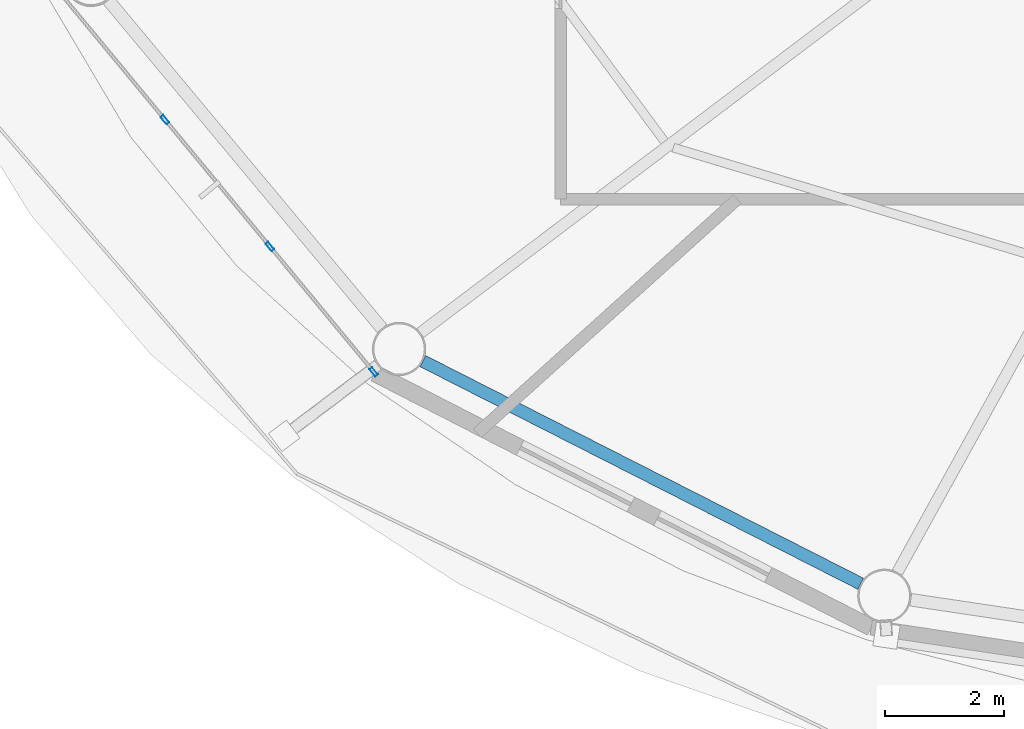
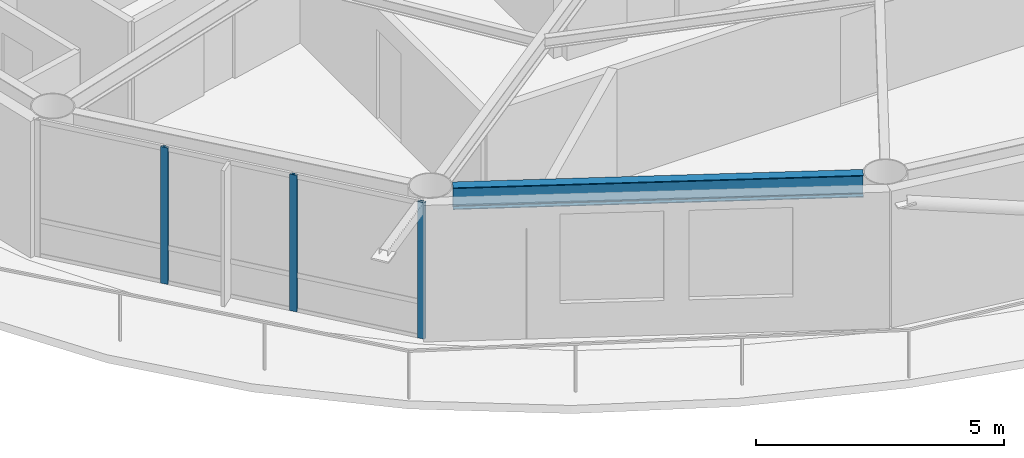
# One storey, part 2 of 22: 3 members, 1 beam, 1 element without a shape of its own.
"""IFC4 building model written with IfcOpenShell, lengths in metres."""

import ifcopenshell
import ifcopenshell.guid

model = None  # the IFC model being written
_history = None  # IfcOwnerHistory: only IFC2X3 demands one
_inside = {}  # id of a spatial element -> (the spatial element, [elements in it])
_under = {}  # id of a project, library or spatial element -> (it, [spatial elements below it])
_declared = {}  # id of a project -> (the project, [libraries it declares])
_typed = {}  # id of a type object -> (the type object, [elements of that type])
_made_of = {}  # id of a material, layer set ... -> (it, [elements and type objects made of it])


def new_model(schema):
    """Start an empty IFC model of exactly this schema.

    Asked for "IFC4X3", IfcOpenShell would pick the latest addendum, in which some entities
    have other attributes; the version numbers below select the first issue.
    IFC2X3 requires an IfcOwnerHistory on every rooted entity: one is made here for all.
    """
    global model, _history
    if schema == "IFC4X3":
        model = ifcopenshell.file(schema_version=(4, 3, 0, 0))
    else:
        model = ifcopenshell.file(schema=schema)
    _inside.clear()
    _under.clear()
    _declared.clear()
    _typed.clear()
    _made_of.clear()
    _history = None
    if model.schema == "IFC2X3":
        org = make("IfcOrganization", Name="unknown")
        user = make(
            "IfcPersonAndOrganization",
            ThePerson=make("IfcPerson", FamilyName="unknown"),
            TheOrganization=org,
        )
        app = make(
            "IfcApplication",
            ApplicationDeveloper=org,
            Version="unknown",
            ApplicationFullName="unknown",
            ApplicationIdentifier="unknown",
        )
        _history = make(
            "IfcOwnerHistory",
            OwningUser=user,
            OwningApplication=app,
            ChangeAction="ADDED",
            CreationDate=0,
        )
    return model


def make(cls, **values):
    """One entity of the class cls with the attributes given. An attribute that is None is left unset."""
    return model.create_entity(
        cls, **{name: value for name, value in values.items() if value is not None}
    )


def rooted(cls, **values):
    """An entity with a GlobalId (a new one), such as an element, a storey or a relation."""
    return make(cls, GlobalId=ifcopenshell.guid.new(), OwnerHistory=_history, **values)


def si_unit(unit_type, name, prefix=None):
    """IfcSIUnit, for example si_unit("LENGTHUNIT", "METRE", prefix="MILLI")."""
    return make("IfcSIUnit", UnitType=unit_type, Prefix=prefix, Name=name)


def assignment(units):
    """IfcUnitAssignment: the units of a project."""
    return None if units is None else make("IfcUnitAssignment", Units=units)


def point(xyz):
    """IfcCartesianPoint."""
    return None if xyz is None else make("IfcCartesianPoint", Coordinates=xyz)


def direction(xyz):
    """IfcDirection."""
    return None if xyz is None else make("IfcDirection", DirectionRatios=xyz)


def frame(location, z_axis=None, x_axis=None):
    """IfcAxis2Placement3D, a coordinate frame: its origin and axes. An axis left out is left unset."""
    return make(
        "IfcAxis2Placement3D",
        Location=point(location),
        Axis=direction(z_axis),
        RefDirection=direction(x_axis),
    )


def frame_2d(location, x_axis=None):
    """IfcAxis2Placement2D, a coordinate frame in the plane: its origin and x axis."""
    return make(
        "IfcAxis2Placement2D", Location=point(location), RefDirection=direction(x_axis)
    )


def origin():
    """The frame at (0, 0, 0) with its axes left unset."""
    return frame((0.0, 0.0, 0.0))


def origin_2d():
    """The frame at (0, 0) in the plane with its x axis left unset."""
    return frame_2d((0.0, 0.0))


def place(relative_to, where):
    """IfcLocalPlacement: puts the frame where relative to a parent placement (None: the world)."""
    return make(
        "IfcLocalPlacement", PlacementRelTo=relative_to, RelativePlacement=where
    )


def context(
    kind, dimensions, precision=None, world=None, true_north=None, identifier=None
):
    """IfcGeometricRepresentationContext, for example the 3D "Model" context."""
    return make(
        "IfcGeometricRepresentationContext",
        ContextIdentifier=identifier,
        ContextType=kind,
        CoordinateSpaceDimension=dimensions,
        Precision=precision,
        WorldCoordinateSystem=world,
        TrueNorth=true_north,
    )


def subcontext(parent, identifier, kind, view, scale=None):
    """IfcGeometricRepresentationSubContext, for example "Body" below "Model"."""
    return make(
        "IfcGeometricRepresentationSubContext",
        ContextIdentifier=identifier,
        ContextType=kind,
        ParentContext=parent,
        TargetScale=scale,
        TargetView=view,
    )


def project(units=None, contexts=None):
    """IfcProject with its units and contexts."""
    return rooted(
        "IfcProject",
        Name="project",
        RepresentationContexts=contexts,
        UnitsInContext=assignment(units),
    )


def spatial(cls, under=None, at=None, **own):
    """A site, building, storey or space (cls), placed at a placement, below another one or the project."""
    s = rooted(cls, ObjectPlacement=at, **own)
    if under is not None:
        _under.setdefault(under.id(), (under, []))[1].append(s)
    return s


def profile(cls, at=None, kind="AREA", **sizes):
    """A parametric profile (cls). Its sizes go by their IFC names, for example OverallWidth=200.0."""
    return make(cls, ProfileType=kind, Position=at, **sizes)


def hollow_rectangle(**sizes):
    """IfcRectangleHollowProfileDef."""
    return profile("IfcRectangleHollowProfileDef", **sizes)


def i_section(**sizes):
    """IfcIShapeProfileDef."""
    return profile("IfcIShapeProfileDef", **sizes)


def extrude(swept, where, along, depth):
    """IfcExtrudedAreaSolid: the profile swept, set in the frame where, extruded along a direction by depth."""
    return make(
        "IfcExtrudedAreaSolid",
        SweptArea=swept,
        Position=where,
        ExtrudedDirection=direction(along),
        Depth=depth,
    )


def shape(context_of_items, identifier, shape_type, items):
    """IfcShapeRepresentation: the items that make up one representation, for example the "Body"."""
    return make(
        "IfcShapeRepresentation",
        ContextOfItems=context_of_items,
        RepresentationIdentifier=identifier,
        RepresentationType=shape_type,
        Items=items,
    )


def material(Name=None, Category=None):
    """IfcMaterial."""
    return make("IfcMaterial", Name=Name, Category=Category)


def layer(
    of_material, thickness, ventilated=None, Name=None, Category=None, Priority=None
):
    """IfcMaterialLayer: one layer of a wall or slab, of a material (None: an air gap)."""
    return make(
        "IfcMaterialLayer",
        Material=of_material,
        LayerThickness=thickness,
        IsVentilated=ventilated,
        Name=Name,
        Category=Category,
        Priority=Priority,
    )


def layer_set(layers, Name=None):
    """IfcMaterialLayerSet."""
    return make("IfcMaterialLayerSet", MaterialLayers=layers, LayerSetName=Name)


def material_profile(
    of_material, cross_section, Name=None, Category=None, Priority=None
):
    """IfcMaterialProfile: a cross section and its material."""
    return make(
        "IfcMaterialProfile",
        Name=Name,
        Material=of_material,
        Profile=cross_section,
        Priority=Priority,
        Category=Category,
    )


def profile_set(profiles, Name=None, composite=None):
    """IfcMaterialProfileSet."""
    return make(
        "IfcMaterialProfileSet",
        Name=Name,
        MaterialProfiles=profiles,
        CompositeProfile=composite,
    )


def made_of(thing, what):
    """Note that an element or type object is made of a material, layer set ...; save() writes the relation."""
    if what is not None:
        _made_of.setdefault(what.id(), (what, []))[1].append(thing)
    return thing


def type_object(cls, material=None, **own):
    """A type object (cls), such as IfcWallType, which elements share."""
    return made_of(rooted(cls, **own), material)


def element(
    cls,
    number,
    at=None,
    inside=None,
    cuts=None,
    type_object=None,
    material=None,
    context=None,
    identifier="Body",
    shape_type=None,
    held_by="IfcProductDefinitionShape",
    body=None,
    shapes=None,
    **own,
):
    """One element of the class cls, such as IfcWall. Its Tag is "e" and its number.

    at: its placement. inside: the storey or other place that contains it. cuts: it is an
    opening in that element (IfcRelVoidsElement). A single representation is given by context,
    identifier, shape_type and body (its items); several are given by shapes. held_by: the class
    of the entity that holds the representations. save() writes the other relations.
    """
    e = rooted(cls, Tag="e%d" % number, ObjectPlacement=at, **own)
    if body is not None:
        shapes = [shape(context, identifier, shape_type, body)]
    if shapes is not None:
        e.Representation = make(held_by, Representations=shapes)
    if inside is not None:
        _inside.setdefault(inside.id(), (inside, []))[1].append(e)
    if cuts is not None:
        rooted(
            "IfcRelVoidsElement", RelatingBuildingElement=cuts, RelatedOpeningElement=e
        )
    if type_object is not None:
        _typed.setdefault(type_object.id(), (type_object, []))[1].append(e)
    return made_of(e, material)


def aggregate(whole, parts):
    """IfcRelAggregates: a whole, such as a stair, and the parts it consists of."""
    return rooted("IfcRelAggregates", RelatingObject=whole, RelatedObjects=parts)


def save(model, path):
    """Write the relations noted so far, then the file.

    IfcRelAggregates (storeys below a building ...), IfcRelContainedInSpatialStructure (elements
    in a storey), IfcRelDefinesByType, IfcRelAssociatesMaterial and IfcRelDeclares: one each for
    every whole, place, type object, material and project.
    """
    for whole, parts in _under.values():
        aggregate(whole, parts)
    for where, things in _inside.values():
        rooted(
            "IfcRelContainedInSpatialStructure",
            RelatedElements=things,
            RelatingStructure=where,
        )
    for kind, things in _typed.values():
        rooted("IfcRelDefinesByType", RelatedObjects=things, RelatingType=kind)
    for what, things in _made_of.values():
        rooted("IfcRelAssociatesMaterial", RelatedObjects=things, RelatingMaterial=what)
    for by, libraries in _declared.values():
        rooted("IfcRelDeclares", RelatingContext=by, RelatedDefinitions=libraries)
    model.write(path)


model = new_model("IFC4")

# Units and contexts
model_context = context("Model", 3, precision=1e-05, world=origin(), true_north=direction((0.0, 1.0)))
body_context = subcontext(model_context, "Body", "Model", "MODEL_VIEW")
ifc_project = project(units=[si_unit("LENGTHUNIT", "METRE"), si_unit("AREAUNIT", "SQUARE_METRE"), si_unit("VOLUMEUNIT", "CUBIC_METRE"), si_unit("PLANEANGLEUNIT", "RADIAN"), si_unit("MASSUNIT", "GRAM", prefix="KILO")], contexts=[model_context])

# Site, building, storey
site_placement = place(None, origin())
site = spatial("IfcSite", under=ifc_project, at=site_placement, CompositionType="ELEMENT")
building_placement = place(site_placement, origin())
building = spatial("IfcBuilding", under=site, at=building_placement, Name="Sarneth Arch Tower", CompositionType="ELEMENT")
storey_placement = place(building_placement, frame((0.0, 0.0, 210.0)))
storey = spatial("IfcBuildingStorey", under=building, at=storey_placement, Name="L53", CompositionType="ELEMENT", Elevation=210.0)

# Beam
ifc_material_1 = material(Name="Steel S355", Category="steel")
ifc_material_profile_1 = material_profile(ifc_material_1, i_section(OverallWidth=0.2109375, OverallDepth=0.5390625, WebThickness=0.01171875, FlangeThickness=0.018798828125, FilletRadius=0.01806640625, at=origin_2d()), Name="W530x109")
ifc_profile_set_1 = profile_set([ifc_material_profile_1], Name="Steel S355")
beam_type = type_object("IfcBeamType", Name="BM-RAD-530B", PredefinedType="BEAM", material=ifc_profile_set_1)
beam_placement = place(storey_placement, frame((30.42578125, 28.219482421875, 3.090576171875), z_axis=(0.891376248079, -0.453264144138, 0.0), x_axis=(0.453264144138, 0.891376248079, 0.0)))
element("IfcBeam", 1, at=beam_placement, inside=storey, type_object=beam_type, Name="L53 Perimeter spandrel beam 11", PredefinedType="BEAM", context=body_context, shape_type="SweptSolid", body=[
    extrude(i_section(OverallWidth=0.2109375, OverallDepth=0.5390625, WebThickness=0.01171875, FlangeThickness=0.018798828125, FilletRadius=0.01806640625, at=origin_2d()), origin(), (0.0, 0.0, 1.0), 8.281982421875),
])

# Curtain wall, members
ifc_material_2 = material(Name="Anodised aluminium Type AA25 and solar-control low-e laminated IGU", Category="aluminium")
ifc_layer = layer(ifc_material_2, 0.179931640625)
ifc_layer_set = layer_set([ifc_layer], Name="Anodised aluminium Type AA25 and solar-control low-e laminated IGU")
curtain_wall_type = type_object("IfcCurtainWallType", Name="CW-RES-HIGH", PredefinedType="NOTDEFINED", material=ifc_layer_set)
curtain_wall_placement = place(storey_placement, origin())
curtain_wall = element("IfcCurtainWall", 2, at=curtain_wall_placement, inside=storey, type_object=curtain_wall_type, Name="L53 Unitised curtain wall facet 10", PredefinedType="NOTDEFINED")
ifc_material_3 = material(Name="Anodised Aluminium 6063-T6", Category="aluminium")
ifc_material_profile_2 = material_profile(ifc_material_3, hollow_rectangle(XDim=0.06005859375, YDim=0.159912109375, WallThickness=0.00390625, at=origin_2d()), Name="AL-MULL-160x60x4")
ifc_profile_set_2 = profile_set([ifc_material_profile_2], Name="Anodised Aluminium 6063-T6")
member_type = type_object("IfcMemberType", Name="CW-MULLION", PredefinedType="MULLION", material=ifc_profile_set_2)
member_1_placement = place(storey_placement, frame((26.07666015625, 32.29150390625, 0.0), z_axis=(0.0, 0.0, 1.0), x_axis=(0.770359245933, 0.637610094184, 0.0)))
member_1 = element("IfcMember", 3, at=member_1_placement, type_object=member_type, Name="CW-SYS-6 mullion 2", PredefinedType="MULLION", context=body_context, shape_type="SweptSolid", body=[
    extrude(hollow_rectangle(XDim=0.06005859375, YDim=0.159912109375, WallThickness=0.00390625, at=origin_2d()), origin(), (0.0, 0.0, 1.0), 3.360107421875),
])
member_2_placement = place(storey_placement, frame((27.84716796875, 30.15234375, 0.0), z_axis=(0.0, 0.0, 1.0), x_axis=(0.770359245933, 0.637610094184, 0.0)))
member_2 = element("IfcMember", 4, at=member_2_placement, type_object=member_type, Name="CW-SYS-6 mullion 3", PredefinedType="MULLION", context=body_context, shape_type="SweptSolid", body=[
    extrude(hollow_rectangle(XDim=0.06005859375, YDim=0.159912109375, WallThickness=0.00390625, at=origin_2d()), origin(), (0.0, 0.0, 1.0), 3.360107421875),
])
member_3_placement = place(storey_placement, frame((29.598388671875, 28.03662109375, 0.0), z_axis=(0.0, 0.0, 1.0), x_axis=(0.770359245933, 0.637610094184, 0.0)))
member_3 = element("IfcMember", 5, at=member_3_placement, type_object=member_type, Name="CW-SYS-6 mullion 4", PredefinedType="MULLION", context=body_context, shape_type="SweptSolid", body=[
    extrude(hollow_rectangle(XDim=0.06005859375, YDim=0.159912109375, WallThickness=0.00390625, at=origin_2d()), origin(), (0.0, 0.0, 1.0), 3.360107421875),
])
aggregate(curtain_wall, [member_1, member_2, member_3])

save(model, "model.ifc")
